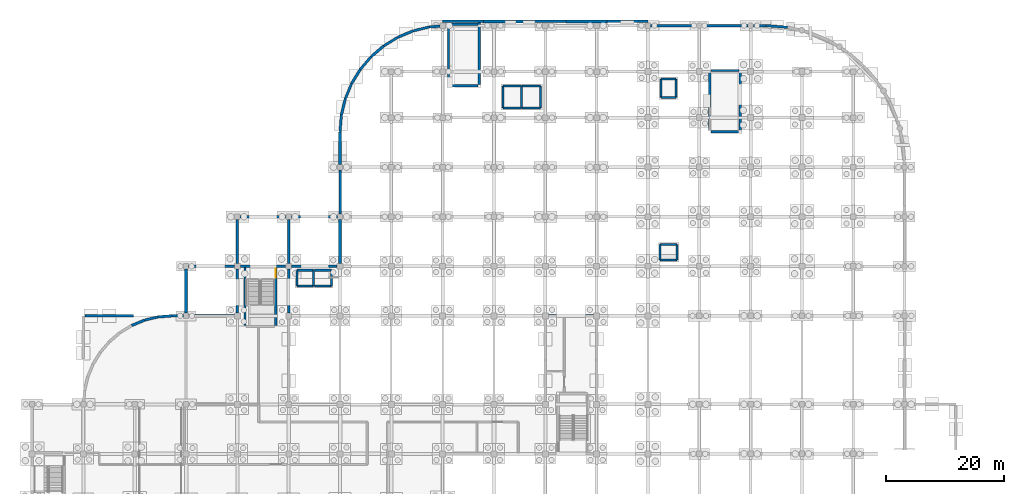
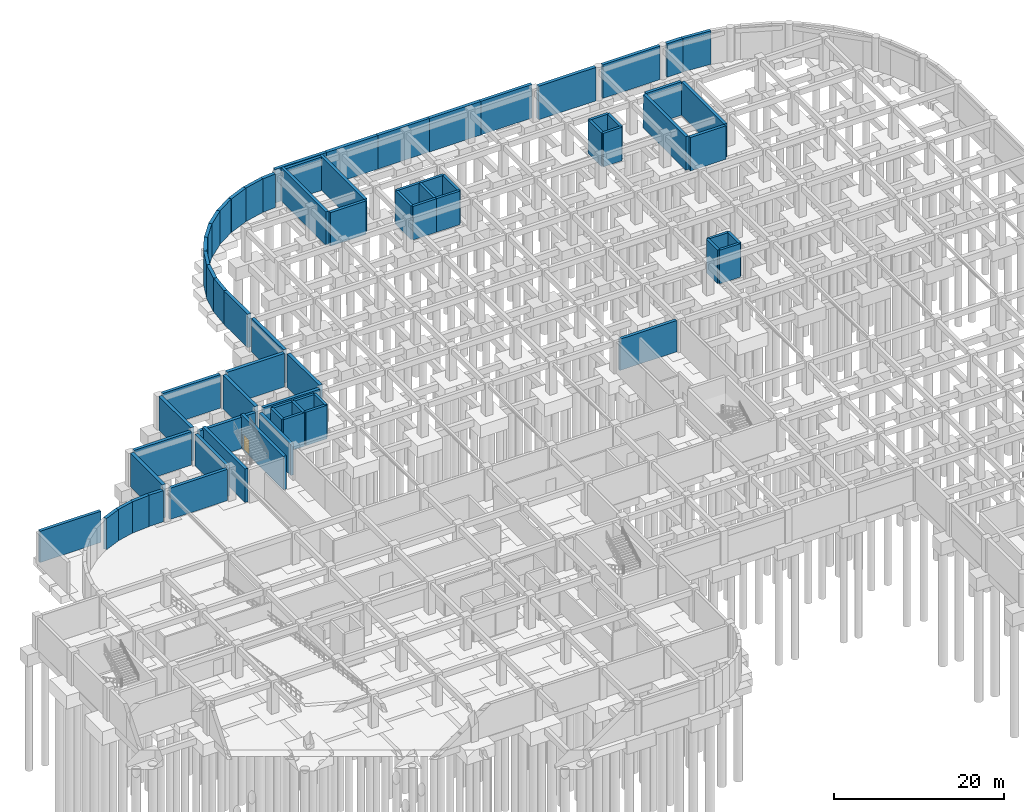
# One storey, part 27 of 33: 71 walls, 1 door, 1 opening.
"""IFC4 building model written with IfcOpenShell, lengths in metres."""

import ifcopenshell
import ifcopenshell.guid

model = None  # the IFC model being written
_history = None  # IfcOwnerHistory: only IFC2X3 demands one
_inside = {}  # id of a spatial element -> (the spatial element, [elements in it])
_under = {}  # id of a project, library or spatial element -> (it, [spatial elements below it])
_declared = {}  # id of a project -> (the project, [libraries it declares])
_typed = {}  # id of a type object -> (the type object, [elements of that type])
_made_of = {}  # id of a material, layer set ... -> (it, [elements and type objects made of it])


def new_model(schema):
    """Start an empty IFC model of exactly this schema.

    Asked for "IFC4X3", IfcOpenShell would pick the latest addendum, in which some entities
    have other attributes; the version numbers below select the first issue.
    IFC2X3 requires an IfcOwnerHistory on every rooted entity: one is made here for all.
    """
    global model, _history
    if schema == "IFC4X3":
        model = ifcopenshell.file(schema_version=(4, 3, 0, 0))
    else:
        model = ifcopenshell.file(schema=schema)
    _inside.clear()
    _under.clear()
    _declared.clear()
    _typed.clear()
    _made_of.clear()
    _history = None
    if model.schema == "IFC2X3":
        org = make("IfcOrganization", Name="unknown")
        user = make(
            "IfcPersonAndOrganization",
            ThePerson=make("IfcPerson", FamilyName="unknown"),
            TheOrganization=org,
        )
        app = make(
            "IfcApplication",
            ApplicationDeveloper=org,
            Version="unknown",
            ApplicationFullName="unknown",
            ApplicationIdentifier="unknown",
        )
        _history = make(
            "IfcOwnerHistory",
            OwningUser=user,
            OwningApplication=app,
            ChangeAction="ADDED",
            CreationDate=0,
        )
    return model


def make(cls, **values):
    """One entity of the class cls with the attributes given. An attribute that is None is left unset."""
    return model.create_entity(
        cls, **{name: value for name, value in values.items() if value is not None}
    )


def rooted(cls, **values):
    """An entity with a GlobalId (a new one), such as an element, a storey or a relation."""
    return make(cls, GlobalId=ifcopenshell.guid.new(), OwnerHistory=_history, **values)


def si_unit(unit_type, name, prefix=None):
    """IfcSIUnit, for example si_unit("LENGTHUNIT", "METRE", prefix="MILLI")."""
    return make("IfcSIUnit", UnitType=unit_type, Prefix=prefix, Name=name)


def derived_unit(unit_type, elements):
    """IfcDerivedUnit: a product of units, each with its exponent."""
    return make(
        "IfcDerivedUnit",
        Elements=[
            make("IfcDerivedUnitElement", Unit=unit, Exponent=power)
            for unit, power in elements
        ],
        UnitType=unit_type,
    )


def assignment(units):
    """IfcUnitAssignment: the units of a project."""
    return None if units is None else make("IfcUnitAssignment", Units=units)


def point(xyz):
    """IfcCartesianPoint."""
    return None if xyz is None else make("IfcCartesianPoint", Coordinates=xyz)


def direction(xyz):
    """IfcDirection."""
    return None if xyz is None else make("IfcDirection", DirectionRatios=xyz)


def frame(location, z_axis=None, x_axis=None):
    """IfcAxis2Placement3D, a coordinate frame: its origin and axes. An axis left out is left unset."""
    return make(
        "IfcAxis2Placement3D",
        Location=point(location),
        Axis=direction(z_axis),
        RefDirection=direction(x_axis),
    )


def frame_2d(location, x_axis=None):
    """IfcAxis2Placement2D, a coordinate frame in the plane: its origin and x axis."""
    return make(
        "IfcAxis2Placement2D", Location=point(location), RefDirection=direction(x_axis)
    )


def origin():
    """The frame at (0, 0, 0) with its axes left unset."""
    return frame((0.0, 0.0, 0.0))


def place(relative_to, where):
    """IfcLocalPlacement: puts the frame where relative to a parent placement (None: the world)."""
    return make(
        "IfcLocalPlacement", PlacementRelTo=relative_to, RelativePlacement=where
    )


def context(
    kind, dimensions, precision=None, world=None, true_north=None, identifier=None
):
    """IfcGeometricRepresentationContext, for example the 3D "Model" context."""
    return make(
        "IfcGeometricRepresentationContext",
        ContextIdentifier=identifier,
        ContextType=kind,
        CoordinateSpaceDimension=dimensions,
        Precision=precision,
        WorldCoordinateSystem=world,
        TrueNorth=true_north,
    )


def subcontext(parent, identifier, kind, view, scale=None):
    """IfcGeometricRepresentationSubContext, for example "Body" below "Model"."""
    return make(
        "IfcGeometricRepresentationSubContext",
        ContextIdentifier=identifier,
        ContextType=kind,
        ParentContext=parent,
        TargetScale=scale,
        TargetView=view,
    )


def project(units=None, contexts=None):
    """IfcProject with its units and contexts."""
    return rooted(
        "IfcProject",
        Name="project",
        RepresentationContexts=contexts,
        UnitsInContext=assignment(units),
    )


def spatial(cls, under=None, at=None, **own):
    """A site, building, storey or space (cls), placed at a placement, below another one or the project."""
    s = rooted(cls, ObjectPlacement=at, **own)
    if under is not None:
        _under.setdefault(under.id(), (under, []))[1].append(s)
    return s


def profile(cls, at=None, kind="AREA", **sizes):
    """A parametric profile (cls). Its sizes go by their IFC names, for example OverallWidth=200.0."""
    return make(cls, ProfileType=kind, Position=at, **sizes)


def rectangle(**sizes):
    """IfcRectangleProfileDef."""
    return profile("IfcRectangleProfileDef", **sizes)


def extrude(swept, where, along, depth):
    """IfcExtrudedAreaSolid: the profile swept, set in the frame where, extruded along a direction by depth."""
    return make(
        "IfcExtrudedAreaSolid",
        SweptArea=swept,
        Position=where,
        ExtrudedDirection=direction(along),
        Depth=depth,
    )


def shape(context_of_items, identifier, shape_type, items):
    """IfcShapeRepresentation: the items that make up one representation, for example the "Body"."""
    return make(
        "IfcShapeRepresentation",
        ContextOfItems=context_of_items,
        RepresentationIdentifier=identifier,
        RepresentationType=shape_type,
        Items=items,
    )


def material(Name=None, Category=None):
    """IfcMaterial."""
    return make("IfcMaterial", Name=Name, Category=Category)


def layer(
    of_material, thickness, ventilated=None, Name=None, Category=None, Priority=None
):
    """IfcMaterialLayer: one layer of a wall or slab, of a material (None: an air gap)."""
    return make(
        "IfcMaterialLayer",
        Material=of_material,
        LayerThickness=thickness,
        IsVentilated=ventilated,
        Name=Name,
        Category=Category,
        Priority=Priority,
    )


def layer_set(layers, Name=None):
    """IfcMaterialLayerSet."""
    return make("IfcMaterialLayerSet", MaterialLayers=layers, LayerSetName=Name)


def made_of(thing, what):
    """Note that an element or type object is made of a material, layer set ...; save() writes the relation."""
    if what is not None:
        _made_of.setdefault(what.id(), (what, []))[1].append(thing)
    return thing


def type_object(cls, material=None, **own):
    """A type object (cls), such as IfcWallType, which elements share."""
    return made_of(rooted(cls, **own), material)


def element(
    cls,
    number,
    at=None,
    inside=None,
    cuts=None,
    type_object=None,
    material=None,
    context=None,
    identifier="Body",
    shape_type=None,
    held_by="IfcProductDefinitionShape",
    body=None,
    shapes=None,
    **own,
):
    """One element of the class cls, such as IfcWall. Its Tag is "e" and its number.

    at: its placement. inside: the storey or other place that contains it. cuts: it is an
    opening in that element (IfcRelVoidsElement). A single representation is given by context,
    identifier, shape_type and body (its items); several are given by shapes. held_by: the class
    of the entity that holds the representations. save() writes the other relations.
    """
    e = rooted(cls, Tag="e%d" % number, ObjectPlacement=at, **own)
    if body is not None:
        shapes = [shape(context, identifier, shape_type, body)]
    if shapes is not None:
        e.Representation = make(held_by, Representations=shapes)
    if inside is not None:
        _inside.setdefault(inside.id(), (inside, []))[1].append(e)
    if cuts is not None:
        rooted(
            "IfcRelVoidsElement", RelatingBuildingElement=cuts, RelatedOpeningElement=e
        )
    if type_object is not None:
        _typed.setdefault(type_object.id(), (type_object, []))[1].append(e)
    return made_of(e, material)


def fill(opening, filler):
    """IfcRelFillsElement: the door or window that sits in an opening."""
    return rooted(
        "IfcRelFillsElement",
        RelatingOpeningElement=opening,
        RelatedBuildingElement=filler,
    )


def aggregate(whole, parts):
    """IfcRelAggregates: a whole, such as a stair, and the parts it consists of."""
    return rooted("IfcRelAggregates", RelatingObject=whole, RelatedObjects=parts)


def save(model, path):
    """Write the relations noted so far, then the file.

    IfcRelAggregates (storeys below a building ...), IfcRelContainedInSpatialStructure (elements
    in a storey), IfcRelDefinesByType, IfcRelAssociatesMaterial and IfcRelDeclares: one each for
    every whole, place, type object, material and project.
    """
    for whole, parts in _under.values():
        aggregate(whole, parts)
    for where, things in _inside.values():
        rooted(
            "IfcRelContainedInSpatialStructure",
            RelatedElements=things,
            RelatingStructure=where,
        )
    for kind, things in _typed.values():
        rooted("IfcRelDefinesByType", RelatedObjects=things, RelatingType=kind)
    for what, things in _made_of.values():
        rooted("IfcRelAssociatesMaterial", RelatedObjects=things, RelatingMaterial=what)
    for by, libraries in _declared.values():
        rooted("IfcRelDeclares", RelatingContext=by, RelatedDefinitions=libraries)
    model.write(path)


model = new_model("IFC4")

# Units and contexts
model_context = context("Model", 3, precision=1e-05, world=origin(), true_north=direction((0.0, 1.0)))
body_context = subcontext(model_context, "Body", "Model", "MODEL_VIEW")
ifc_project = project(units=[si_unit("LENGTHUNIT", "METRE"), si_unit("AREAUNIT", "SQUARE_METRE"), si_unit("VOLUMEUNIT", "CUBIC_METRE"), si_unit("PLANEANGLEUNIT", "RADIAN"), si_unit("MASSUNIT", "GRAM", prefix="KILO"), derived_unit("THERMALTRANSMITTANCEUNIT", [(si_unit("MASSUNIT", "GRAM", prefix="KILO"), 1), (si_unit("TIMEUNIT", "SECOND"), -3), (si_unit("THERMODYNAMICTEMPERATUREUNIT", "KELVIN"), -1)])], contexts=[model_context])

# Site, building, storey
site_placement = place(None, origin())
site = spatial("IfcSite", under=ifc_project, at=site_placement, CompositionType="ELEMENT")
building_placement = place(site_placement, origin())
building = spatial("IfcBuilding", under=site, at=building_placement, Name="Qinzheling Arcade Emporium", CompositionType="ELEMENT")
storey_placement = place(building_placement, frame((0.0, 0.0, -9.60009765625)))
storey = spatial("IfcBuildingStorey", under=building, at=storey_placement, Name="B2", CompositionType="ELEMENT", Elevation=-9.60009765625)

# Walls
ifc_material_1 = material(Name="Concrete C40", Category="concrete")
ifc_layer_1 = layer(ifc_material_1, 0.419921875, Name="Concrete C40", Category="concrete")
ifc_layer_set_1 = layer_set([ifc_layer_1], Name="Concrete C40")
wall_type_1 = type_object("IfcWallType", Name="Basement Ramp Retaining Wall 420 C40", PredefinedType="USERDEFINED", material=ifc_layer_set_1)
wall_1_placement = place(storey_placement, frame((19.06494140625, 64.666015625, 0.0), z_axis=(0.0, 0.0, 1.0), x_axis=(0.972393894208, 0.233345483149, 0.0)))
element("IfcWall", 1, at=wall_1_placement, inside=storey, type_object=wall_type_1, Name="Retaining Wall WL-B2-RW-042", ObjectType="RETAININGWALL", PredefinedType="USERDEFINED", context=body_context, shape_type="SweptSolid", body=[
    extrude(rectangle(XDim=2.35302734375, YDim=0.419921875, at=frame_2d((1.176513671875, 0.0))), origin(), (0.0, 0.0, 1.0), 4.47998046875),
])
wall_2_placement = place(storey_placement, frame((23.699951171875, 65.39990234375, 0.0), z_axis=(0.0, 0.0, 1.0), x_axis=(1.0, 0.0, 0.0)))
element("IfcWall", 2, at=wall_2_placement, inside=storey, type_object=wall_type_1, Name="Retaining Wall WL-B2-RW-044", ObjectType="RETAININGWALL", PredefinedType="USERDEFINED", context=body_context, shape_type="SweptSolid", body=[
    extrude(rectangle(XDim=1.947998046875, YDim=0.419921875, at=frame_2d((0.97412109375, 0.0))), origin(), (0.0, 0.0, 1.0), 4.47998046875),
])
wall_3_placement = place(storey_placement, frame((26.552001953125, 73.800048828125, 0.0), z_axis=(0.0, 0.0, 1.0), x_axis=(1.0, 0.0, 0.0)))
element("IfcWall", 3, at=wall_3_placement, inside=storey, type_object=wall_type_1, Name="Retaining Wall WL-B2-RW-046", ObjectType="RETAININGWALL", PredefinedType="USERDEFINED", context=body_context, shape_type="SweptSolid", body=[
    extrude(rectangle(XDim=7.74609375, YDim=0.419921875, at=frame_2d((3.873046875, 0.0))), origin(), (0.0, 0.0, 1.0), 4.800048828125),
])
wall_4_placement = place(storey_placement, frame((35.251953125, 82.199951171875, 0.0), z_axis=(0.0, 0.0, 1.0), x_axis=(1.0, 0.0, 0.0)))
element("IfcWall", 4, at=wall_4_placement, inside=storey, type_object=wall_type_1, Name="Retaining Wall WL-B2-RW-048", ObjectType="RETAININGWALL", PredefinedType="USERDEFINED", context=body_context, shape_type="SweptSolid", body=[
    extrude(rectangle(XDim=7.796142578125, YDim=0.419921875, at=frame_2d((3.89794921875, 0.0))), origin(), (0.0, 0.0, 1.0), 4.800048828125),
])
wall_5_placement = place(storey_placement, frame((44.001953125, 73.800048828125, 0.0), z_axis=(0.0, 0.0, 1.0), x_axis=(1.0, 0.0, 0.0)))
element("IfcWall", 5, at=wall_5_placement, inside=storey, type_object=wall_type_1, Name="Retaining Wall WL-B2-RW-050", ObjectType="RETAININGWALL", PredefinedType="USERDEFINED", context=body_context, shape_type="SweptSolid", body=[
    extrude(rectangle(XDim=7.696044921875, YDim=0.419921875, at=frame_2d((3.84814453125, 0.0))), origin(), (0.0, 0.0, 1.0), 4.800048828125),
])
wall_6_placement = place(storey_placement, frame((52.199951171875, 82.652099609375, 0.0), z_axis=(0.0, 0.0, 1.0), x_axis=(0.0, 1.0, 0.0)))
element("IfcWall", 6, at=wall_6_placement, inside=storey, type_object=wall_type_1, Name="Retaining Wall WL-B2-RW-052", ObjectType="RETAININGWALL", PredefinedType="USERDEFINED", context=body_context, shape_type="SweptSolid", body=[
    extrude(rectangle(XDim=7.495849609375, YDim=0.419921875, at=frame_2d((3.748046875, 0.0))), origin(), (0.0, 0.0, 1.0), 4.800048828125),
])
wall_7_placement = place(storey_placement, frame((52.199951171875, 96.60009765625, 0.0), z_axis=(0.0, 0.0, 1.0), x_axis=(0.078652755923, 0.996902073418, 0.0)))
element("IfcWall", 7, at=wall_7_placement, inside=storey, type_object=wall_type_1, Name="Retaining Wall WL-B2-RW-054", ObjectType="RETAININGWALL", PredefinedType="USERDEFINED", context=body_context, shape_type="SweptSolid", body=[
    extrude(rectangle(XDim=2.82470703125, YDim=0.419921875, at=frame_2d((1.412353515625, 0.0))), origin(), (0.0, 0.0, 1.0), 4.800048828125),
])
wall_8_placement = place(storey_placement, frame((53.0810546875, 102.162109375, 0.0), z_axis=(0.0, 0.0, 1.0), x_axis=(0.382687638477, 0.923877790271, 0.0)))
element("IfcWall", 8, at=wall_8_placement, inside=storey, type_object=wall_type_1, Name="Retaining Wall WL-B2-RW-056", ObjectType="RETAININGWALL", PredefinedType="USERDEFINED", context=body_context, shape_type="SweptSolid", body=[
    extrude(rectangle(XDim=2.824951171875, YDim=0.419921875, at=frame_2d((1.41259765625, 0.0))), origin(), (0.0, 0.0, 1.0), 4.800048828125),
])
wall_9_placement = place(storey_placement, frame((55.637939453125, 107.179931640625, 0.0), z_axis=(0.0, 0.0, 1.0), x_axis=(0.649337989494, 0.760499950954, 0.0)))
element("IfcWall", 9, at=wall_9_placement, inside=storey, type_object=wall_type_1, Name="Retaining Wall WL-B2-RW-058", ObjectType="RETAININGWALL", PredefinedType="USERDEFINED", context=body_context, shape_type="SweptSolid", body=[
    extrude(rectangle(XDim=2.824462890625, YDim=0.419921875, at=frame_2d((1.412109375, 0.0))), origin(), (0.0, 0.0, 1.0), 4.800048828125),
])
wall_10_placement = place(storey_placement, frame((59.6201171875, 111.162109375, 0.0), z_axis=(0.0, 0.0, 1.0), x_axis=(0.852603737195, 0.522558003786, 0.0)))
element("IfcWall", 10, at=wall_10_placement, inside=storey, type_object=wall_type_1, Name="Retaining Wall WL-B2-RW-060", ObjectType="RETAININGWALL", PredefinedType="USERDEFINED", context=body_context, shape_type="SweptSolid", body=[
    extrude(rectangle(XDim=2.82421875, YDim=0.419921875, at=frame_2d((1.412109375, 0.0))), origin(), (0.0, 0.0, 1.0), 4.800048828125),
])
wall_11_placement = place(storey_placement, frame((64.637939453125, 113.718994140625, 0.0), z_axis=(0.0, 0.0, 1.0), x_axis=(0.972397502496, 0.233330446234, 0.0)))
element("IfcWall", 11, at=wall_11_placement, inside=storey, type_object=wall_type_1, Name="Retaining Wall WL-B2-RW-062", ObjectType="RETAININGWALL", PredefinedType="USERDEFINED", context=body_context, shape_type="SweptSolid", body=[
    extrude(rectangle(XDim=2.823974609375, YDim=0.419921875, at=frame_2d((1.412109375, 0.0))), origin(), (0.0, 0.0, 1.0), 4.800048828125),
])
wall_12_placement = place(storey_placement, frame((69.60009765625, 115.300048828125, 0.0), z_axis=(0.0, 0.0, 1.0), x_axis=(1.0, 0.0, 0.0)))
element("IfcWall", 12, at=wall_12_placement, inside=storey, type_object=wall_type_1, Name="Retaining Wall WL-B2-RW-064", ObjectType="RETAININGWALL", PredefinedType="USERDEFINED", context=body_context, shape_type="SweptSolid", body=[
    extrude(rectangle(XDim=6.9580078125, YDim=0.419921875, at=frame_2d((3.47900390625, 0.0))), origin(), (0.0, 0.0, 1.0), 4.800048828125),
])
wall_13_placement = place(storey_placement, frame((83.52197265625, 115.300048828125, 0.0), z_axis=(0.0, 0.0, 1.0), x_axis=(1.0, 0.0, 0.0)))
element("IfcWall", 13, at=wall_13_placement, inside=storey, type_object=wall_type_1, Name="Retaining Wall WL-B2-RW-066", ObjectType="RETAININGWALL", PredefinedType="USERDEFINED", context=body_context, shape_type="SweptSolid", body=[
    extrude(rectangle(XDim=6.9560546875, YDim=0.419921875, at=frame_2d((3.47802734375, 0.0))), origin(), (0.0, 0.0, 1.0), 4.800048828125),
])
wall_14_placement = place(storey_placement, frame((97.44189453125, 115.300048828125, 0.0), z_axis=(0.0, 0.0, 1.0), x_axis=(1.0, 0.0, 0.0)))
element("IfcWall", 14, at=wall_14_placement, inside=storey, type_object=wall_type_1, Name="Retaining Wall WL-B2-RW-068", ObjectType="RETAININGWALL", PredefinedType="USERDEFINED", context=body_context, shape_type="SweptSolid", body=[
    extrude(rectangle(XDim=6.9580078125, YDim=0.419921875, at=frame_2d((3.47900390625, 0.0))), origin(), (0.0, 0.0, 1.0), 4.800048828125),
])
wall_15_placement = place(storey_placement, frame((113.576904296875, 114.60009765625, 0.0), z_axis=(0.0, 0.0, 1.0), x_axis=(1.0, 0.0, 0.0)))
element("IfcWall", 15, at=wall_15_placement, inside=storey, type_object=wall_type_1, Name="Retaining Wall WL-B2-RW-070", ObjectType="RETAININGWALL", PredefinedType="USERDEFINED", context=body_context, shape_type="SweptSolid", body=[
    extrude(rectangle(XDim=7.74609375, YDim=0.419921875, at=frame_2d((3.873046875, 0.0))), origin(), (0.0, 0.0, 1.0), 4.800048828125),
])
wall_16_placement = place(storey_placement, frame((124.39990234375, 114.60009765625, 0.0), z_axis=(0.0, 0.0, 1.0), x_axis=(0.996922570338, -0.078392529938, 0.0)))
element("IfcWall", 16, at=wall_16_placement, inside=storey, type_object=wall_type_1, Name="Retaining Wall WL-B2-RW-072", ObjectType="RETAININGWALL", PredefinedType="USERDEFINED", context=body_context, shape_type="SweptSolid", body=[
    extrude(rectangle(XDim=3.687255859375, YDim=0.419921875, at=frame_2d((1.84375, 0.0))), origin(), (0.0, 0.0, 1.0), 4.800048828125),
])
ifc_layer_2 = layer(ifc_material_1, 0.409912109375, Name="Concrete C40", Category="concrete")
ifc_layer_set_2 = layer_set([ifc_layer_2], Name="Concrete C40")
wall_type_2 = type_object("IfcWallType", Name="Interior Basement Retaining Wall 410 C40", PredefinedType="USERDEFINED", material=ifc_layer_set_2)
wall_17_placement = place(storey_placement, frame((8.945068359375, 65.39990234375, 0.0), z_axis=(0.0, 0.0, 1.0), x_axis=(1.0, 0.0, 0.0)))
element("IfcWall", 17, at=wall_17_placement, inside=storey, type_object=wall_type_2, Name="Internal Basement Retaining Wall WL-B2-RW-137", ObjectType="RETAININGWALL", PredefinedType="USERDEFINED", context=body_context, shape_type="SweptSolid", body=[
    extrude(rectangle(XDim=8.22705078125, YDim=0.409912109375, at=frame_2d((4.113525390625, 0.0))), origin(), (0.0, 0.0, 1.0), 4.47998046875),
])
wall_18_placement = place(storey_placement, frame((26.552001953125, 65.39990234375, 0.0), z_axis=(0.0, 0.0, 1.0), x_axis=(1.0, 0.0, 0.0)))
element("IfcWall", 18, at=wall_18_placement, inside=storey, type_object=wall_type_2, Name="Internal Basement Retaining Wall WL-B2-RW-138", ObjectType="RETAININGWALL", PredefinedType="USERDEFINED", context=body_context, shape_type="SweptSolid", body=[
    extrude(rectangle(XDim=7.74609375, YDim=0.409912109375, at=frame_2d((3.873046875, 0.0))), origin(), (0.0, 0.0, 1.0), 4.47998046875),
])
wall_19_placement = place(storey_placement, frame((34.800048828125, 65.902099609375, 0.0), z_axis=(0.0, 0.0, 1.0), x_axis=(0.0, 1.0, 0.0)))
element("IfcWall", 19, at=wall_19_placement, inside=storey, type_object=wall_type_2, Name="Internal Basement Retaining Wall WL-B2-RW-139", ObjectType="RETAININGWALL", PredefinedType="USERDEFINED", context=body_context, shape_type="SweptSolid", body=[
    extrude(rectangle(XDim=7.39599609375, YDim=0.409912109375, at=frame_2d((3.697998046875, 0.0))), origin(), (0.0, 0.0, 1.0), 4.47998046875),
])
wall_20_placement = place(storey_placement, frame((35.302001953125, 73.800048828125, 0.0), z_axis=(0.0, 0.0, 1.0), x_axis=(1.0, 0.0, 0.0)))
element("IfcWall", 20, at=wall_20_placement, inside=storey, type_object=wall_type_2, Name="Internal Basement Retaining Wall WL-B2-RW-140", ObjectType="RETAININGWALL", PredefinedType="USERDEFINED", context=body_context, shape_type="SweptSolid", body=[
    extrude(rectangle(XDim=7.696044921875, YDim=0.409912109375, at=frame_2d((3.84814453125, 0.0))), origin(), (0.0, 0.0, 1.0), 4.47998046875),
])
wall_21_placement = place(storey_placement, frame((43.5, 73.298095703125, 0.0), z_axis=(0.0, 0.0, 1.0), x_axis=(0.0, -1.0, 0.0)))
element("IfcWall", 21, at=wall_21_placement, inside=storey, type_object=wall_type_2, Name="Internal Basement Retaining Wall WL-B2-RW-141", ObjectType="RETAININGWALL", PredefinedType="USERDEFINED", context=body_context, shape_type="SweptSolid", body=[
    extrude(rectangle(XDim=7.39599609375, YDim=0.409912109375, at=frame_2d((3.697998046875, 0.0))), origin(), (0.0, 0.0, 1.0), 4.47998046875),
])
wall_22_placement = place(storey_placement, frame((87.501953125, 65.39990234375, 0.0), z_axis=(0.0, 0.0, 1.0), x_axis=(1.0, 0.0, 0.0)))
element("IfcWall", 22, at=wall_22_placement, inside=storey, type_object=wall_type_2, Name="Internal Basement Retaining Wall WL-B2-RW-151", ObjectType="RETAININGWALL", PredefinedType="USERDEFINED", context=body_context, shape_type="SweptSolid", body=[
    extrude(rectangle(XDim=7.696044921875, YDim=0.409912109375, at=frame_2d((3.84814453125, 0.0))), origin(), (0.0, 0.0, 1.0), 4.47998046875),
])
ifc_layer_3 = layer(ifc_material_1, 0.35009765625, Name="Concrete C40", Category="concrete")
ifc_layer_set_3 = layer_set([ifc_layer_3], Name="Concrete C40")
wall_type_3 = type_object("IfcWallType", Name="RC Lift Shaft Shear Wall 350 C40", PredefinedType="SHEAR", material=ifc_layer_set_3)
for number, where, z_axis, x_axis, name in (
    (23, (106.625, 105.574951171875, 0.0), (0.0, 0.0, 1.0), (1.0, 0.0, 0.0), "Lift Shaft Wall WL-B2-LFT-LF03-N"),
    (24, (109.175048828125, 102.425048828125, 0.0), (0.0, 0.0, 1.0), (-1.0, 0.0, 0.0), "Lift Shaft Wall WL-B2-LFT-LF03-S"),
):
    element("IfcWall", number, at=place(storey_placement, frame(where, z_axis=z_axis, x_axis=x_axis)), inside=storey, type_object=wall_type_3, Name=name, PredefinedType="SHEAR", context=body_context, shape_type="SweptSolid", body=[
        extrude(rectangle(XDim=2.550048828125, YDim=0.35009765625, at=frame_2d((1.27490234375, 0.0))), origin(), (0.0, 0.0, 1.0), 4.800048828125),
    ])
for number, where, z_axis, x_axis, name in (
    (25, (106.625, 102.425048828125, 0.0), (0.0, 0.0, 1.0), (0.0, 1.0, 0.0), "Lift Shaft Wall WL-B2-LFT-LF03-W"),
    (26, (109.175048828125, 105.574951171875, 0.0), (0.0, 0.0, 1.0), (0.0, -1.0, 0.0), "Lift Shaft Wall WL-B2-LFT-LF03-E"),
):
    element("IfcWall", number, at=place(storey_placement, frame(where, z_axis=z_axis, x_axis=x_axis)), inside=storey, type_object=wall_type_3, Name=name, PredefinedType="SHEAR", context=body_context, shape_type="SweptSolid", body=[
        extrude(rectangle(XDim=3.14990234375, YDim=0.35009765625, at=frame_2d((1.574951171875, 0.0))), origin(), (0.0, 0.0, 1.0), 4.800048828125),
    ])
for number, where, z_axis, x_axis, name in (
    (27, (44.875, 73.125, 0.0), (0.0, 0.0, 1.0), (1.0, 0.0, 0.0), "Lift Shaft Wall WL-B2-LFT-LP03-N"),
    (28, (47.72509765625, 70.47509765625, 0.0), (0.0, 0.0, 1.0), (-1.0, 0.0, 0.0), "Lift Shaft Wall WL-B2-LFT-LP03-S"),
):
    element("IfcWall", number, at=place(storey_placement, frame(where, z_axis=z_axis, x_axis=x_axis)), inside=storey, type_object=wall_type_3, Name=name, PredefinedType="SHEAR", context=body_context, shape_type="SweptSolid", body=[
        extrude(rectangle(XDim=2.85009765625, YDim=0.35009765625, at=frame_2d((1.425048828125, 0.0))), origin(), (0.0, 0.0, 1.0), 4.800048828125),
    ])
for number, where, z_axis, x_axis, name in (
    (29, (44.875, 70.47509765625, 0.0), (0.0, 0.0, 1.0), (0.0, 1.0, 0.0), "Lift Shaft Wall WL-B2-LFT-LP03-W"),
    (30, (47.72509765625, 73.125, 0.0), (0.0, 0.0, 1.0), (0.0, -1.0, 0.0), "Lift Shaft Wall WL-B2-LFT-LP03-E"),
):
    element("IfcWall", number, at=place(storey_placement, frame(where, z_axis=z_axis, x_axis=x_axis)), inside=storey, type_object=wall_type_3, Name=name, PredefinedType="SHEAR", context=body_context, shape_type="SweptSolid", body=[
        extrude(rectangle(XDim=2.64990234375, YDim=0.35009765625, at=frame_2d((1.324951171875, 0.0))), origin(), (0.0, 0.0, 1.0), 4.800048828125),
    ])
for number, where, z_axis, x_axis, name in (
    (31, (47.875, 73.125, 0.0), (0.0, 0.0, 1.0), (1.0, 0.0, 0.0), "Lift Shaft Wall WL-B2-LFT-LP04-N"),
    (32, (50.72509765625, 70.47509765625, 0.0), (0.0, 0.0, 1.0), (-1.0, 0.0, 0.0), "Lift Shaft Wall WL-B2-LFT-LP04-S"),
):
    element("IfcWall", number, at=place(storey_placement, frame(where, z_axis=z_axis, x_axis=x_axis)), inside=storey, type_object=wall_type_3, Name=name, PredefinedType="SHEAR", context=body_context, shape_type="SweptSolid", body=[
        extrude(rectangle(XDim=2.85009765625, YDim=0.35009765625, at=frame_2d((1.425048828125, 0.0))), origin(), (0.0, 0.0, 1.0), 4.800048828125),
    ])
wall_23_placement = place(storey_placement, frame((50.72509765625, 73.125, 0.0), z_axis=(0.0, 0.0, 1.0), x_axis=(0.0, -1.0, 0.0)))
element("IfcWall", 33, at=wall_23_placement, inside=storey, type_object=wall_type_3, Name="Lift Shaft Wall WL-B2-LFT-LP04-E", PredefinedType="SHEAR", context=body_context, shape_type="SweptSolid", body=[
    extrude(rectangle(XDim=2.64990234375, YDim=0.35009765625, at=frame_2d((1.324951171875, 0.0))), origin(), (0.0, 0.0, 1.0), 4.800048828125),
])
for number, where, z_axis, x_axis, name in (
    (34, (106.47509765625, 77.52490234375, 0.0), (0.0, 0.0, 1.0), (1.0, 0.0, 0.0), "Lift Shaft Wall WL-B2-LFT-LP06-N"),
    (35, (109.324951171875, 74.875, 0.0), (0.0, 0.0, 1.0), (-1.0, 0.0, 0.0), "Lift Shaft Wall WL-B2-LFT-LP06-S"),
):
    element("IfcWall", number, at=place(storey_placement, frame(where, z_axis=z_axis, x_axis=x_axis)), inside=storey, type_object=wall_type_3, Name=name, PredefinedType="SHEAR", context=body_context, shape_type="SweptSolid", body=[
        extrude(rectangle(XDim=2.849853515625, YDim=0.35009765625, at=frame_2d((1.4248046875, 0.0))), origin(), (0.0, 0.0, 1.0), 4.800048828125),
    ])
for number, where, z_axis, x_axis, name in (
    (36, (106.47509765625, 74.875, 0.0), (0.0, 0.0, 1.0), (0.0, 1.0, 0.0), "Lift Shaft Wall WL-B2-LFT-LP06-W"),
    (37, (109.324951171875, 77.52490234375, 0.0), (0.0, 0.0, 1.0), (0.0, -1.0, 0.0), "Lift Shaft Wall WL-B2-LFT-LP06-E"),
):
    element("IfcWall", number, at=place(storey_placement, frame(where, z_axis=z_axis, x_axis=x_axis)), inside=storey, type_object=wall_type_3, Name=name, PredefinedType="SHEAR", context=body_context, shape_type="SweptSolid", body=[
        extrude(rectangle(XDim=2.64990234375, YDim=0.35009765625, at=frame_2d((1.324951171875, 0.0))), origin(), (0.0, 0.0, 1.0), 4.800048828125),
    ])
for number, where, z_axis, x_axis, name in (
    (38, (79.824951171875, 104.375, 0.0), (0.0, 0.0, 1.0), (1.0, 0.0, 0.0), "Lift Shaft Wall WL-B2-LFT-LG01-N"),
    (39, (82.97509765625, 100.625, 0.0), (0.0, 0.0, 1.0), (-1.0, 0.0, 0.0), "Lift Shaft Wall WL-B2-LFT-LG01-S"),
):
    element("IfcWall", number, at=place(storey_placement, frame(where, z_axis=z_axis, x_axis=x_axis)), inside=storey, type_object=wall_type_3, Name=name, PredefinedType="SHEAR", context=body_context, shape_type="SweptSolid", body=[
        extrude(rectangle(XDim=3.150146484375, YDim=0.35009765625, at=frame_2d((1.5751953125, 0.0))), origin(), (0.0, 0.0, 1.0), 4.800048828125),
    ])
for number, where, z_axis, x_axis, name in (
    (40, (79.824951171875, 100.625, 0.0), (0.0, 0.0, 1.0), (0.0, 1.0, 0.0), "Lift Shaft Wall WL-B2-LFT-LG01-W"),
    (41, (82.97509765625, 104.375, 0.0), (0.0, 0.0, 1.0), (0.0, -1.0, 0.0), "Lift Shaft Wall WL-B2-LFT-LG01-E"),
):
    element("IfcWall", number, at=place(storey_placement, frame(where, z_axis=z_axis, x_axis=x_axis)), inside=storey, type_object=wall_type_3, Name=name, PredefinedType="SHEAR", context=body_context, shape_type="SweptSolid", body=[
        extrude(rectangle(XDim=3.75, YDim=0.35009765625, at=frame_2d((1.875, 0.0))), origin(), (0.0, 0.0, 1.0), 4.800048828125),
    ])
for number, where, z_axis, x_axis, name in (
    (42, (83.02490234375, 104.375, 0.0), (0.0, 0.0, 1.0), (1.0, 0.0, 0.0), "Lift Shaft Wall WL-B2-LFT-LG02-N"),
    (43, (86.175048828125, 100.625, 0.0), (0.0, 0.0, 1.0), (-1.0, 0.0, 0.0), "Lift Shaft Wall WL-B2-LFT-LG02-S"),
):
    element("IfcWall", number, at=place(storey_placement, frame(where, z_axis=z_axis, x_axis=x_axis)), inside=storey, type_object=wall_type_3, Name=name, PredefinedType="SHEAR", context=body_context, shape_type="SweptSolid", body=[
        extrude(rectangle(XDim=3.150146484375, YDim=0.35009765625, at=frame_2d((1.5751953125, 0.0))), origin(), (0.0, 0.0, 1.0), 4.800048828125),
    ])
wall_24_placement = place(storey_placement, frame((86.175048828125, 104.375, 0.0), z_axis=(0.0, 0.0, 1.0), x_axis=(0.0, -1.0, 0.0)))
element("IfcWall", 44, at=wall_24_placement, inside=storey, type_object=wall_type_3, Name="Lift Shaft Wall WL-B2-LFT-LG02-E", PredefinedType="SHEAR", context=body_context, shape_type="SweptSolid", body=[
    extrude(rectangle(XDim=3.75, YDim=0.35009765625, at=frame_2d((1.875, 0.0))), origin(), (0.0, 0.0, 1.0), 4.800048828125),
])
ifc_material_2 = material(Name="Concrete C50", Category="concrete")
ifc_layer_4 = layer(ifc_material_2, 0.39990234375, Name="Concrete C50", Category="concrete")
ifc_layer_set_4 = layer_set([ifc_layer_4], Name="Concrete C50")
wall_type_4 = type_object("IfcWallType", Name="RC Stair Core Shear Wall 400 C50", PredefinedType="SHEAR", material=ifc_layer_set_4)
wall_25_placement = place(storey_placement, frame((36.10009765625, 63.800048828125, 0.0), z_axis=(0.0, 0.0, 1.0), x_axis=(0.0, 1.0, 0.0)))
element("IfcWall", 45, at=wall_25_placement, inside=storey, type_object=wall_type_4, Name="Stair Core Wall WL-B2-ST03-WEST", PredefinedType="SHEAR", context=body_context, shape_type="SweptSolid", body=[
    extrude(rectangle(XDim=10.0, YDim=0.39990234375, at=frame_2d((5.0, 0.0))), origin(), (0.0, 0.0, 1.0), 4.800048828125),
])

# Wall, opening, door
wall_26_placement = place(storey_placement, frame((41.2900390625, 73.800048828125, 0.0), z_axis=(0.0, 0.0, 1.0), x_axis=(0.0, -1.0, 0.0)))
wall_26 = element("IfcWall", 46, at=wall_26_placement, inside=storey, type_object=wall_type_4, Name="Stair Core Wall WL-B2-ST03-EAST", PredefinedType="SHEAR", context=body_context, shape_type="SweptSolid", body=[
    extrude(rectangle(XDim=10.0, YDim=0.39990234375, at=frame_2d((5.0, 0.0))), origin(), (0.0, 0.0, 1.0), 4.800048828125),
])
opening_placement = place(wall_26_placement, frame((0.409912109375, 0.0, 0.0)))
opening = element("IfcOpeningElement", 47, at=opening_placement, cuts=wall_26, Name="Opening FD01", PredefinedType="OPENING", context=body_context, shape_type="SweptSolid", body=[
    extrude(rectangle(XDim=1.5, YDim=2.199951171875, at=frame_2d((0.75, 1.10009765625))), frame((0.0, 0.2099609375, 0.0), z_axis=(0.0, -1.0, 0.0), x_axis=(1.0, 0.0, 0.0)), (0.0, 0.0, 1.0), 0.419921875),
])
ifc_material_3 = material(Name="Class A fire-rated steel double door", Category="steel")
door_type = type_object("IfcDoorType", Name="Stairwell Smoke-Proof Fire Door 1500x2200", OperationType="DOUBLE_DOOR_SINGLE_SWING", PredefinedType="DOOR", material=ifc_material_3)
door_placement = place(opening_placement, origin())
door = element("IfcDoor", 48, at=door_placement, inside=storey, type_object=door_type, Name="FD01 Stairwell Fire Door DR-B2-ST03-FD", OperationType="DOUBLE_DOOR_SINGLE_SWING", OverallHeight=2.199951171875, OverallWidth=1.5, PredefinedType="DOOR", context=body_context, shape_type="SweptSolid", body=[
    extrude(rectangle(XDim=1.5, YDim=2.199951171875, at=frame_2d((0.75, 1.10009765625))), frame((0.0, 0.02490234375, 0.0), z_axis=(0.0, -1.0, 0.0), x_axis=(1.0, 0.0, 0.0)), (0.0, 0.0, 1.0), 0.050048828125),
])
fill(opening, door)

# Walls
for number, where, z_axis, x_axis, name in (
    (49, (70.60009765625, 104.60009765625, 0.0), (0.0, 0.0, 1.0), (0.0, 1.0, 0.0), "Stair Core Wall WL-B2-ST07-WEST"),
    (50, (75.7900390625, 115.10009765625, 0.0), (0.0, 0.0, 1.0), (0.0, -1.0, 0.0), "Stair Core Wall WL-B2-ST07-EAST"),
):
    element("IfcWall", number, at=place(storey_placement, frame(where, z_axis=z_axis, x_axis=x_axis)), inside=storey, type_object=wall_type_4, Name=name, PredefinedType="SHEAR", context=body_context, shape_type="SweptSolid", body=[
        extrude(rectangle(XDim=10.5, YDim=0.39990234375, at=frame_2d((5.25, 0.0))), origin(), (0.0, 0.0, 1.0), 4.800048828125),
    ])
for number, where, z_axis, x_axis, name in (
    (51, (75.590087890625, 104.39990234375, 0.0), (0.0, 0.0, 1.0), (-1.0, 0.0, 0.0), "Stair Core Wall WL-B2-ST07-SOUTH"),
    (52, (70.800048828125, 114.800048828125, 0.0), (0.0, 0.0, 1.0), (1.0, 0.0, 0.0), "Stair Core Wall WL-B2-ST07-NORTH"),
):
    element("IfcWall", number, at=place(storey_placement, frame(where, z_axis=z_axis, x_axis=x_axis)), inside=storey, type_object=wall_type_4, Name=name, PredefinedType="SHEAR", context=body_context, shape_type="SweptSolid", body=[
        extrude(rectangle(XDim=4.7900390625, YDim=0.39990234375, at=frame_2d((2.39501953125, 0.0))), origin(), (0.0, 0.0, 1.0), 4.800048828125),
    ])
for number, where, z_axis, x_axis, name in (
    (53, (114.85498046875, 96.800048828125, 0.0), (0.0, 0.0, 1.0), (0.0, 1.0, 0.0), "Stair Core Wall WL-B2-ST08-WEST"),
    (54, (120.044921875, 106.800048828125, 0.0), (0.0, 0.0, 1.0), (0.0, -1.0, 0.0), "Stair Core Wall WL-B2-ST08-EAST"),
):
    element("IfcWall", number, at=place(storey_placement, frame(where, z_axis=z_axis, x_axis=x_axis)), inside=storey, type_object=wall_type_4, Name=name, PredefinedType="SHEAR", context=body_context, shape_type="SweptSolid", body=[
        extrude(rectangle(XDim=10.0, YDim=0.39990234375, at=frame_2d((5.0, 0.0))), origin(), (0.0, 0.0, 1.0), 4.800048828125),
    ])
for number, where, z_axis, x_axis, name in (
    (55, (119.844970703125, 96.60009765625, 0.0), (0.0, 0.0, 1.0), (-1.0, 0.0, 0.0), "Stair Core Wall WL-B2-ST08-SOUTH"),
    (56, (115.054931640625, 107.0, 0.0), (0.0, 0.0, 1.0), (1.0, 0.0, 0.0), "Stair Core Wall WL-B2-ST08-NORTH"),
):
    element("IfcWall", number, at=place(storey_placement, frame(where, z_axis=z_axis, x_axis=x_axis)), inside=storey, type_object=wall_type_4, Name=name, PredefinedType="SHEAR", context=body_context, shape_type="SweptSolid", body=[
        extrude(rectangle(XDim=4.7900390625, YDim=0.39990234375, at=frame_2d((2.39501953125, 0.0))), origin(), (0.0, 0.0, 1.0), 4.800048828125),
    ])
ifc_layer_5 = layer(ifc_material_1, 0.449951171875, Name="Concrete C40", Category="concrete")
ifc_layer_set_5 = layer_set([ifc_layer_5], Name="Concrete C40")
wall_type_5 = type_object("IfcWallType", Name="Waterproof Basement Retaining Wall 450 C40", PredefinedType="USERDEFINED", material=ifc_layer_set_5)
for number, where, z_axis, x_axis, name in (
    (57, (16.889892578125, 63.764892578125, 0.0), (0.0, 0.0, 1.0), (0.92385124914, 0.382751707327, 0.0), "Retaining Wall WL-B2-RW-041"),
    (58, (21.35302734375, 65.215087890625, 0.0), (0.0, 0.0, 1.0), (0.996913759647, 0.078504495584, 0.0), "Retaining Wall WL-B2-RW-043"),
):
    element("IfcWall", number, at=place(storey_placement, frame(where, z_axis=z_axis, x_axis=x_axis)), inside=storey, type_object=wall_type_5, Name=name, ObjectType="RETAININGWALL", PredefinedType="USERDEFINED", context=body_context, shape_type="SweptSolid", body=[
        extrude(rectangle(XDim=2.354248046875, YDim=0.449951171875, at=frame_2d((1.17724609375, 0.0))), origin(), (0.0, 0.0, 1.0), 4.47998046875),
    ])
wall_27_placement = place(storey_placement, frame((26.10009765625, 65.85205078125, 0.0), z_axis=(0.0, 0.0, 1.0), x_axis=(0.0, 1.0, 0.0)))
element("IfcWall", 59, at=wall_27_placement, inside=storey, type_object=wall_type_5, Name="Retaining Wall WL-B2-RW-045", ObjectType="RETAININGWALL", PredefinedType="USERDEFINED", context=body_context, shape_type="SweptSolid", body=[
    extrude(rectangle(XDim=7.495849609375, YDim=0.449951171875, at=frame_2d((3.748046875, 0.0))), origin(), (0.0, 0.0, 1.0), 4.800048828125),
])
for number, where, z_axis, x_axis, name in (
    (60, (34.800048828125, 74.302001953125, 0.0), (0.0, 0.0, 1.0), (0.0, 1.0, 0.0), "Retaining Wall WL-B2-RW-047"),
    (61, (43.5, 81.748046875, 0.0), (0.0, 0.0, 1.0), (0.0, -1.0, 0.0), "Retaining Wall WL-B2-RW-049"),
    (62, (52.199951171875, 74.302001953125, 0.0), (0.0, 0.0, 1.0), (0.0, 1.0, 0.0), "Retaining Wall WL-B2-RW-051"),
):
    element("IfcWall", number, at=place(storey_placement, frame(where, z_axis=z_axis, x_axis=x_axis)), inside=storey, type_object=wall_type_5, Name=name, ObjectType="RETAININGWALL", PredefinedType="USERDEFINED", context=body_context, shape_type="SweptSolid", body=[
        extrude(rectangle(XDim=7.446044921875, YDim=0.449951171875, at=frame_2d((3.72314453125, 0.0))), origin(), (0.0, 0.0, 1.0), 4.800048828125),
    ])
wall_28_placement = place(storey_placement, frame((52.199951171875, 91.052001953125, 0.0), z_axis=(0.0, 0.0, 1.0), x_axis=(0.0, 1.0, 0.0)))
element("IfcWall", 63, at=wall_28_placement, inside=storey, type_object=wall_type_5, Name="Retaining Wall WL-B2-RW-053", ObjectType="RETAININGWALL", PredefinedType="USERDEFINED", context=body_context, shape_type="SweptSolid", body=[
    extrude(rectangle(XDim=5.548095703125, YDim=0.449951171875, at=frame_2d((2.77392578125, 0.0))), origin(), (0.0, 0.0, 1.0), 4.800048828125),
])
wall_29_placement = place(storey_placement, frame((52.422119140625, 99.416015625, 0.0), z_axis=(0.0, 0.0, 1.0), x_axis=(0.233330446234, 0.972397502496, 0.0)))
element("IfcWall", 64, at=wall_29_placement, inside=storey, type_object=wall_type_5, Name="Retaining Wall WL-B2-RW-055", ObjectType="RETAININGWALL", PredefinedType="USERDEFINED", context=body_context, shape_type="SweptSolid", body=[
    extrude(rectangle(XDim=2.823974609375, YDim=0.449951171875, at=frame_2d((1.412109375, 0.0))), origin(), (0.0, 0.0, 1.0), 4.800048828125),
])
wall_30_placement = place(storey_placement, frame((54.162109375, 104.77197265625, 0.0), z_axis=(0.0, 0.0, 1.0), x_axis=(0.522558003786, 0.852603737195, 0.0)))
element("IfcWall", 65, at=wall_30_placement, inside=storey, type_object=wall_type_5, Name="Retaining Wall WL-B2-RW-057", ObjectType="RETAININGWALL", PredefinedType="USERDEFINED", context=body_context, shape_type="SweptSolid", body=[
    extrude(rectangle(XDim=2.82421875, YDim=0.449951171875, at=frame_2d((1.412109375, 0.0))), origin(), (0.0, 0.0, 1.0), 4.800048828125),
])
wall_31_placement = place(storey_placement, frame((57.471923828125, 109.327880859375, 0.0), z_axis=(0.0, 0.0, 1.0), x_axis=(0.760493712287, 0.649345296103, 0.0)))
element("IfcWall", 66, at=wall_31_placement, inside=storey, type_object=wall_type_5, Name="Retaining Wall WL-B2-RW-059", ObjectType="RETAININGWALL", PredefinedType="USERDEFINED", context=body_context, shape_type="SweptSolid", body=[
    extrude(rectangle(XDim=2.82470703125, YDim=0.449951171875, at=frame_2d((1.412353515625, 0.0))), origin(), (0.0, 0.0, 1.0), 4.800048828125),
])
wall_32_placement = place(storey_placement, frame((62.028076171875, 112.637939453125, 0.0), z_axis=(0.0, 0.0, 1.0), x_axis=(0.923877790271, 0.382687638477, 0.0)))
element("IfcWall", 67, at=wall_32_placement, inside=storey, type_object=wall_type_5, Name="Retaining Wall WL-B2-RW-061", ObjectType="RETAININGWALL", PredefinedType="USERDEFINED", context=body_context, shape_type="SweptSolid", body=[
    extrude(rectangle(XDim=2.824951171875, YDim=0.449951171875, at=frame_2d((1.41259765625, 0.0))), origin(), (0.0, 0.0, 1.0), 4.800048828125),
])
wall_33_placement = place(storey_placement, frame((67.384033203125, 114.3779296875, 0.0), z_axis=(0.0, 0.0, 1.0), x_axis=(0.996920266217, 0.078421826076, 0.0)))
element("IfcWall", 68, at=wall_33_placement, inside=storey, type_object=wall_type_5, Name="Retaining Wall WL-B2-RW-063", ObjectType="RETAININGWALL", PredefinedType="USERDEFINED", context=body_context, shape_type="SweptSolid", body=[
    extrude(rectangle(XDim=1.7744140625, YDim=0.449951171875, at=frame_2d((0.88720703125, 0.0))), origin(), (0.0, 0.0, 1.0), 4.800048828125),
])
for number, where, z_axis, x_axis, name in (
    (69, (76.56201171875, 115.300048828125, 0.0), (0.0, 0.0, 1.0), (1.0, 0.0, 0.0), "Retaining Wall WL-B2-RW-065"),
    (70, (90.48193359375, 115.300048828125, 0.0), (0.0, 0.0, 1.0), (1.0, 0.0, 0.0), "Retaining Wall WL-B2-RW-067"),
):
    element("IfcWall", number, at=place(storey_placement, frame(where, z_axis=z_axis, x_axis=x_axis)), inside=storey, type_object=wall_type_5, Name=name, ObjectType="RETAININGWALL", PredefinedType="USERDEFINED", context=body_context, shape_type="SweptSolid", body=[
        extrude(rectangle(XDim=6.9560546875, YDim=0.449951171875, at=frame_2d((3.47802734375, 0.0))), origin(), (0.0, 0.0, 1.0), 4.800048828125),
    ])
wall_34_placement = place(storey_placement, frame((104.85205078125, 114.60009765625, 0.0), z_axis=(0.0, 0.0, 1.0), x_axis=(1.0, 0.0, 0.0)))
element("IfcWall", 71, at=wall_34_placement, inside=storey, type_object=wall_type_5, Name="Retaining Wall WL-B2-RW-069", ObjectType="RETAININGWALL", PredefinedType="USERDEFINED", context=body_context, shape_type="SweptSolid", body=[
    extrude(rectangle(XDim=7.77099609375, YDim=0.449951171875, at=frame_2d((3.885498046875, 0.0))), origin(), (0.0, 0.0, 1.0), 4.800048828125),
])
wall_35_placement = place(storey_placement, frame((122.277099609375, 114.60009765625, 0.0), z_axis=(0.0, 0.0, 1.0), x_axis=(1.0, 0.0, 0.0)))
element("IfcWall", 72, at=wall_35_placement, inside=storey, type_object=wall_type_5, Name="Retaining Wall WL-B2-RW-071", ObjectType="RETAININGWALL", PredefinedType="USERDEFINED", context=body_context, shape_type="SweptSolid", body=[
    extrude(rectangle(XDim=2.122802734375, YDim=0.449951171875, at=frame_2d((1.0615234375, 0.0))), origin(), (0.0, 0.0, 1.0), 4.800048828125),
])
wall_36_placement = place(storey_placement, frame((43.951904296875, 82.199951171875, 0.0), z_axis=(0.0, 0.0, 1.0), x_axis=(1.0, 0.0, 0.0)))
element("IfcWall", 73, at=wall_36_placement, inside=storey, type_object=wall_type_5, Name="Hillside Plinth Foundation Wall WL-B2-RW-339", ObjectType="RETAININGWALL", PredefinedType="USERDEFINED", context=body_context, shape_type="SweptSolid", body=[
    extrude(rectangle(XDim=7.796142578125, YDim=0.449951171875, at=frame_2d((3.89794921875, 0.0))), origin(), (0.0, 0.0, 1.0), 4.800048828125),
])

save(model, "model.ifc")
